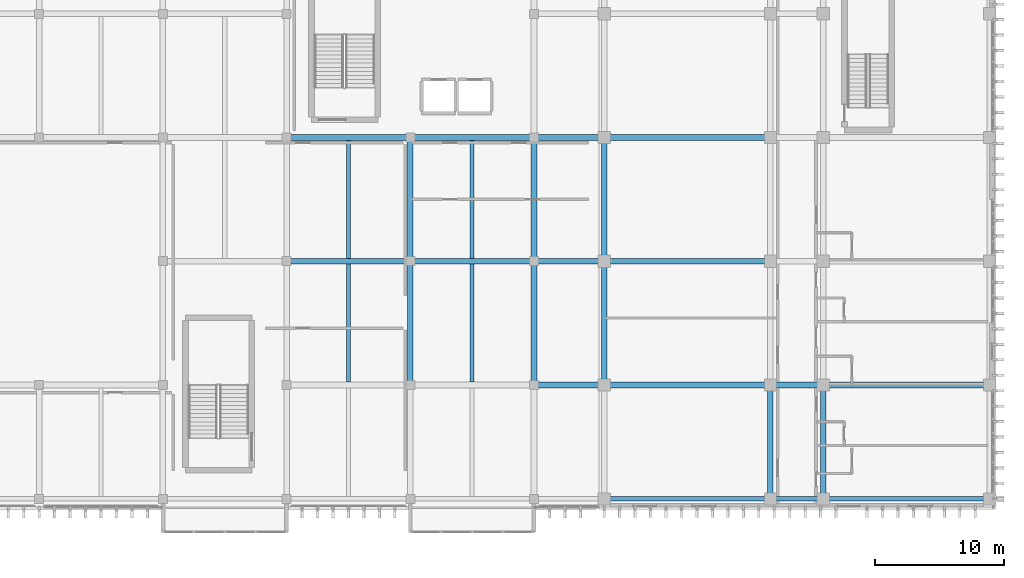
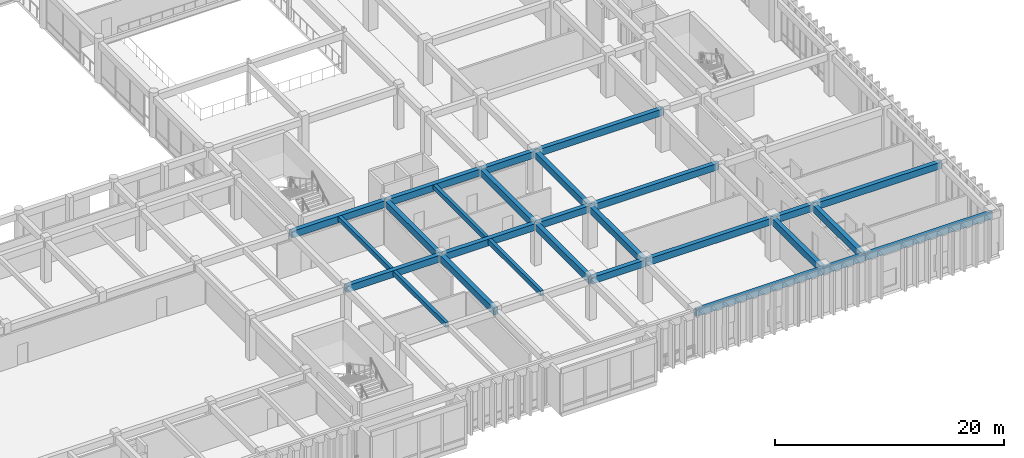
# One storey, part 56 of 133: 27 beams.
"""IFC4 building model written with IfcOpenShell, lengths in metres."""

from ifc_helpers import new_model, si_unit, direction, frame, origin, origin_2d, place, context, subcontext, project, spatial, rectangle, extrude, material, material_profile, profile_set, type_object, element, save


model = new_model("IFC4")

# Units and contexts
model_context = context("Model", 3, precision=1e-05, world=origin(), true_north=direction((0.0, 1.0)))
body_context = subcontext(model_context, "Body", "Model", "MODEL_VIEW")
ifc_project = project(units=[si_unit("LENGTHUNIT", "METRE"), si_unit("AREAUNIT", "SQUARE_METRE"), si_unit("VOLUMEUNIT", "CUBIC_METRE"), si_unit("PLANEANGLEUNIT", "RADIAN"), si_unit("MASSUNIT", "GRAM", prefix="KILO")], contexts=[model_context])

# Site, building, storey
site_placement = place(None, origin())
site = spatial("IfcSite", under=ifc_project, at=site_placement, CompositionType="ELEMENT")
building_placement = place(site_placement, origin())
building = spatial("IfcBuilding", under=site, at=building_placement, Name="Nakhvara Creek Congress Hotel", CompositionType="ELEMENT")
storey_placement = place(building_placement, frame((0.0, 0.0, 11.39990234375)))
storey = spatial("IfcBuildingStorey", under=building, at=storey_placement, Name="L02", CompositionType="ELEMENT", Elevation=11.39990234375)

# Beams
ifc_material = material(Name="Concrete C40/50", Category="concrete")
ifc_material_profile_1 = material_profile(ifc_material, rectangle(XDim=0.320068359375, YDim=0.52001953125, at=origin_2d()), Name="RC-BM 320x520", Category="LoadBearing")
ifc_profile_set_1 = profile_set([ifc_material_profile_1], Name="Concrete C40/50")
beam_type_1 = type_object("IfcBeamType", Name="BM-RC-320X520", PredefinedType="JOIST", material=ifc_profile_set_1)
beam_1_placement = place(storey_placement, frame((129.60009765625, 9.820068359375, 4.16015625), z_axis=(0.0, 1.0, 0.0), x_axis=(-1.0, 0.0, 0.0)))
element("IfcBeam", 1, at=beam_1_placement, inside=storey, type_object=beam_type_1, Name="Secondary Joist BJ2-L02-1687", PredefinedType="JOIST", context=body_context, shape_type="SweptSolid", body=[
    extrude(rectangle(XDim=0.320068359375, YDim=0.52001953125, at=origin_2d()), origin(), (0.0, 0.0, 1.0), 9.159912109375),
])
beam_2_placement = place(storey_placement, frame((129.60009765625, 19.419921875, 4.16015625), z_axis=(0.0, 1.0, 0.0), x_axis=(-1.0, 0.0, 0.0)))
element("IfcBeam", 2, at=beam_2_placement, inside=storey, type_object=beam_type_1, Name="Secondary Joist BJ2-L02-1688", PredefinedType="JOIST", context=body_context, shape_type="SweptSolid", body=[
    extrude(rectangle(XDim=0.320068359375, YDim=0.52001953125, at=origin_2d()), origin(), (0.0, 0.0, 1.0), 9.16015625),
])
beam_3_placement = place(storey_placement, frame((139.199951171875, 9.820068359375, 4.16015625), z_axis=(0.0, 1.0, 0.0), x_axis=(-1.0, 0.0, 0.0)))
element("IfcBeam", 3, at=beam_3_placement, inside=storey, type_object=beam_type_1, Name="Secondary Joist BJ2-L02-1692", PredefinedType="JOIST", context=body_context, shape_type="SweptSolid", body=[
    extrude(rectangle(XDim=0.320068359375, YDim=0.52001953125, at=origin_2d()), origin(), (0.0, 0.0, 1.0), 9.159912109375),
])
beam_4_placement = place(storey_placement, frame((139.199951171875, 19.419921875, 4.16015625), z_axis=(0.0, 1.0, 0.0), x_axis=(-1.0, 0.0, 0.0)))
element("IfcBeam", 4, at=beam_4_placement, inside=storey, type_object=beam_type_1, Name="Secondary Joist BJ2-L02-1693", PredefinedType="JOIST", context=body_context, shape_type="SweptSolid", body=[
    extrude(rectangle(XDim=0.320068359375, YDim=0.52001953125, at=origin_2d()), origin(), (0.0, 0.0, 1.0), 9.16015625),
])
ifc_material_profile_2 = material_profile(ifc_material, rectangle(XDim=0.43994140625, YDim=0.719970703125, at=origin_2d()), Name="RC-BM 440x720", Category="LoadBearing")
ifc_profile_set_2 = profile_set([ifc_material_profile_2], Name="Concrete C40/50")
beam_type_2 = type_object("IfcBeamType", Name="BM-RC-440X720", PredefinedType="BEAM", material=ifc_profile_set_2)
for number, where, z_axis, x_axis, name in (
    (5, (124.800048828125, 19.199951171875, 4.06005859375), (1.0, 0.0, 0.0), (0.0, 1.0, 0.0), "Beam B12-L02-1524"),
    (6, (124.800048828125, 28.800048828125, 4.06005859375), (1.0, 0.0, 0.0), (0.0, 1.0, 0.0), "Beam B12-L02-1526"),
    (7, (134.39990234375, 9.60009765625, 4.06005859375), (0.0, 1.0, 0.0), (-1.0, 0.0, 0.0), "Beam B12-L02-1542"),
):
    element("IfcBeam", number, at=place(storey_placement, frame(where, z_axis=z_axis, x_axis=x_axis)), inside=storey, type_object=beam_type_2, Name=name, PredefinedType="BEAM", context=body_context, shape_type="SweptSolid", body=[
        extrude(rectangle(XDim=0.43994140625, YDim=0.719970703125, at=origin_2d()), origin(), (0.0, 0.0, 1.0), 9.599853515625),
    ])
for number, where, z_axis, x_axis, name in (
    (8, (134.39990234375, 19.199951171875, 4.06005859375), (0.0, 1.0, 0.0), (-1.0, 0.0, 0.0), "Beam B12-L02-1544"),
    (9, (134.39990234375, 19.199951171875, 4.06005859375), (1.0, 0.0, 0.0), (0.0, 1.0, 0.0), "Beam B12-L02-1545"),
    (10, (134.39990234375, 28.800048828125, 4.06005859375), (1.0, 0.0, 0.0), (0.0, 1.0, 0.0), "Beam B12-L02-1546"),
):
    element("IfcBeam", number, at=place(storey_placement, frame(where, z_axis=z_axis, x_axis=x_axis)), inside=storey, type_object=beam_type_2, Name=name, PredefinedType="BEAM", context=body_context, shape_type="SweptSolid", body=[
        extrude(rectangle(XDim=0.43994140625, YDim=0.719970703125, at=origin_2d()), origin(), (0.0, 0.0, 1.0), 9.60009765625),
    ])
beam_5_placement = place(storey_placement, frame((144.0, 9.60009765625, 4.06005859375), z_axis=(0.0, 1.0, 0.0), x_axis=(-1.0, 0.0, 0.0)))
element("IfcBeam", 11, at=beam_5_placement, inside=storey, type_object=beam_type_2, Name="Beam B12-L02-1558", PredefinedType="BEAM", context=body_context, shape_type="SweptSolid", body=[
    extrude(rectangle(XDim=0.43994140625, YDim=0.719970703125, at=origin_2d()), origin(), (0.0, 0.0, 1.0), 9.599853515625),
])
beam_6_placement = place(storey_placement, frame((144.0, 9.60009765625, 4.06005859375), z_axis=(1.0, 0.0, 0.0), x_axis=(0.0, 1.0, 0.0)))
element("IfcBeam", 12, at=beam_6_placement, inside=storey, type_object=beam_type_2, Name="Beam B12-L02-1559", PredefinedType="BEAM", context=body_context, shape_type="SweptSolid", body=[
    extrude(rectangle(XDim=0.43994140625, YDim=0.719970703125, at=origin_2d()), origin(), (0.0, 0.0, 1.0), 5.449951171875),
])
beam_7_placement = place(storey_placement, frame((144.0, 19.199951171875, 4.06005859375), z_axis=(0.0, 1.0, 0.0), x_axis=(-1.0, 0.0, 0.0)))
element("IfcBeam", 13, at=beam_7_placement, inside=storey, type_object=beam_type_2, Name="Beam B12-L02-1560", PredefinedType="BEAM", context=body_context, shape_type="SweptSolid", body=[
    extrude(rectangle(XDim=0.43994140625, YDim=0.719970703125, at=origin_2d()), origin(), (0.0, 0.0, 1.0), 9.60009765625),
])
for number, where, z_axis, x_axis, name in (
    (14, (144.0, 19.199951171875, 4.06005859375), (1.0, 0.0, 0.0), (0.0, 1.0, 0.0), "Beam B12-L02-1561"),
    (15, (144.0, 28.800048828125, 4.06005859375), (1.0, 0.0, 0.0), (0.0, 1.0, 0.0), "Beam B12-L02-1563"),
):
    element("IfcBeam", number, at=place(storey_placement, frame(where, z_axis=z_axis, x_axis=x_axis)), inside=storey, type_object=beam_type_2, Name=name, PredefinedType="BEAM", context=body_context, shape_type="SweptSolid", body=[
        extrude(rectangle(XDim=0.43994140625, YDim=0.719970703125, at=origin_2d()), origin(), (0.0, 0.0, 1.0), 5.449951171875),
    ])
beam_8_placement = place(storey_placement, frame((149.449951171875, 9.60009765625, 4.06005859375), z_axis=(0.0, 1.0, 0.0), x_axis=(-1.0, 0.0, 0.0)))
element("IfcBeam", 16, at=beam_8_placement, inside=storey, type_object=beam_type_2, Name="Beam B12-L02-1576", PredefinedType="BEAM", context=body_context, shape_type="SweptSolid", body=[
    extrude(rectangle(XDim=0.43994140625, YDim=0.719970703125, at=origin_2d()), origin(), (0.0, 0.0, 1.0), 9.599853515625),
])
beam_9_placement = place(storey_placement, frame((149.449951171875, 9.60009765625, 4.06005859375), z_axis=(1.0, 0.0, 0.0), x_axis=(0.0, 1.0, 0.0)))
element("IfcBeam", 17, at=beam_9_placement, inside=storey, type_object=beam_type_2, Name="Beam B12-L02-1577", PredefinedType="BEAM", context=body_context, shape_type="SweptSolid", body=[
    extrude(rectangle(XDim=0.43994140625, YDim=0.719970703125, at=origin_2d()), origin(), (0.0, 0.0, 1.0), 12.900146484375),
])
beam_10_placement = place(storey_placement, frame((149.449951171875, 19.199951171875, 4.06005859375), z_axis=(0.0, 1.0, 0.0), x_axis=(-1.0, 0.0, 0.0)))
element("IfcBeam", 18, at=beam_10_placement, inside=storey, type_object=beam_type_2, Name="Beam B12-L02-1578", PredefinedType="BEAM", context=body_context, shape_type="SweptSolid", body=[
    extrude(rectangle(XDim=0.43994140625, YDim=0.719970703125, at=origin_2d()), origin(), (0.0, 0.0, 1.0), 9.60009765625),
])
for number, where, z_axis, x_axis, name in (
    (19, (149.449951171875, 19.199951171875, 4.06005859375), (1.0, 0.0, 0.0), (0.0, 1.0, 0.0), "Beam B12-L02-1579"),
    (20, (149.449951171875, 28.800048828125, 4.06005859375), (1.0, 0.0, 0.0), (0.0, 1.0, 0.0), "Beam B12-L02-1581"),
):
    element("IfcBeam", number, at=place(storey_placement, frame(where, z_axis=z_axis, x_axis=x_axis)), inside=storey, type_object=beam_type_2, Name=name, PredefinedType="BEAM", context=body_context, shape_type="SweptSolid", body=[
        extrude(rectangle(XDim=0.43994140625, YDim=0.719970703125, at=origin_2d()), origin(), (0.0, 0.0, 1.0), 12.900146484375),
    ])
beam_11_placement = place(storey_placement, frame((162.35009765625, 0.75, 4.06005859375), z_axis=(0.0, 1.0, 0.0), x_axis=(-1.0, 0.0, 0.0)))
element("IfcBeam", 21, at=beam_11_placement, inside=storey, type_object=beam_type_2, Name="Beam B12-L02-1599", PredefinedType="BEAM", context=body_context, shape_type="SweptSolid", body=[
    extrude(rectangle(XDim=0.43994140625, YDim=0.719970703125, at=origin_2d()), origin(), (0.0, 0.0, 1.0), 8.85009765625),
])
beam_12_placement = place(storey_placement, frame((162.35009765625, 9.60009765625, 4.06005859375), z_axis=(1.0, 0.0, 0.0), x_axis=(0.0, 1.0, 0.0)))
element("IfcBeam", 22, at=beam_12_placement, inside=storey, type_object=beam_type_2, Name="Beam B12-L02-1602", PredefinedType="BEAM", context=body_context, shape_type="SweptSolid", body=[
    extrude(rectangle(XDim=0.43994140625, YDim=0.719970703125, at=origin_2d()), origin(), (0.0, 0.0, 1.0), 4.099853515625),
])
beam_13_placement = place(storey_placement, frame((166.449951171875, 0.75, 4.06005859375), z_axis=(0.0, 1.0, 0.0), x_axis=(-1.0, 0.0, 0.0)))
element("IfcBeam", 23, at=beam_13_placement, inside=storey, type_object=beam_type_2, Name="Beam B12-L02-1626", PredefinedType="BEAM", context=body_context, shape_type="SweptSolid", body=[
    extrude(rectangle(XDim=0.43994140625, YDim=0.719970703125, at=origin_2d()), origin(), (0.0, 0.0, 1.0), 8.85009765625),
])
beam_14_placement = place(storey_placement, frame((166.449951171875, 9.60009765625, 4.06005859375), z_axis=(1.0, 0.0, 0.0), x_axis=(0.0, 1.0, 0.0)))
element("IfcBeam", 24, at=beam_14_placement, inside=storey, type_object=beam_type_2, Name="Beam B12-L02-1629", PredefinedType="BEAM", context=body_context, shape_type="SweptSolid", body=[
    extrude(rectangle(XDim=0.43994140625, YDim=0.719970703125, at=origin_2d()), origin(), (0.0, 0.0, 1.0), 12.900146484375),
])
ifc_material_profile_3 = material_profile(ifc_material, rectangle(XDim=0.35009765625, YDim=0.75, at=origin_2d()), Name="RC-SPANDREL 350x750", Category="LoadBearing")
ifc_profile_set_3 = profile_set([ifc_material_profile_3], Name="Concrete C40/50")
beam_type_3 = type_object("IfcBeamType", Name="BM-SPN-350X750", PredefinedType="SPANDREL", material=ifc_profile_set_3)
beam_15_placement = place(storey_placement, frame((149.449951171875, 0.75, 4.045166015625), z_axis=(1.0, 0.0, 0.0), x_axis=(0.0, 1.0, 0.0)))
element("IfcBeam", 25, at=beam_15_placement, inside=storey, type_object=beam_type_3, Name="Beam SP1-L02-1575", PredefinedType="SPANDREL", context=body_context, shape_type="SweptSolid", body=[
    extrude(rectangle(XDim=0.35009765625, YDim=0.75, at=origin_2d()), origin(), (0.0, 0.0, 1.0), 12.900146484375),
])
beam_16_placement = place(storey_placement, frame((162.35009765625, 0.75, 4.045166015625), z_axis=(1.0, 0.0, 0.0), x_axis=(0.0, 1.0, 0.0)))
element("IfcBeam", 26, at=beam_16_placement, inside=storey, type_object=beam_type_3, Name="Beam SP1-L02-1600", PredefinedType="SPANDREL", context=body_context, shape_type="SweptSolid", body=[
    extrude(rectangle(XDim=0.35009765625, YDim=0.75, at=origin_2d()), origin(), (0.0, 0.0, 1.0), 4.099853515625),
])
beam_17_placement = place(storey_placement, frame((166.449951171875, 0.75, 4.045166015625), z_axis=(1.0, 0.0, 0.0), x_axis=(0.0, 1.0, 0.0)))
element("IfcBeam", 27, at=beam_17_placement, inside=storey, type_object=beam_type_3, Name="Beam SP1-L02-1627", PredefinedType="SPANDREL", context=body_context, shape_type="SweptSolid", body=[
    extrude(rectangle(XDim=0.35009765625, YDim=0.75, at=origin_2d()), origin(), (0.0, 0.0, 1.0), 12.900146484375),
])

save(model, "model.ifc")
